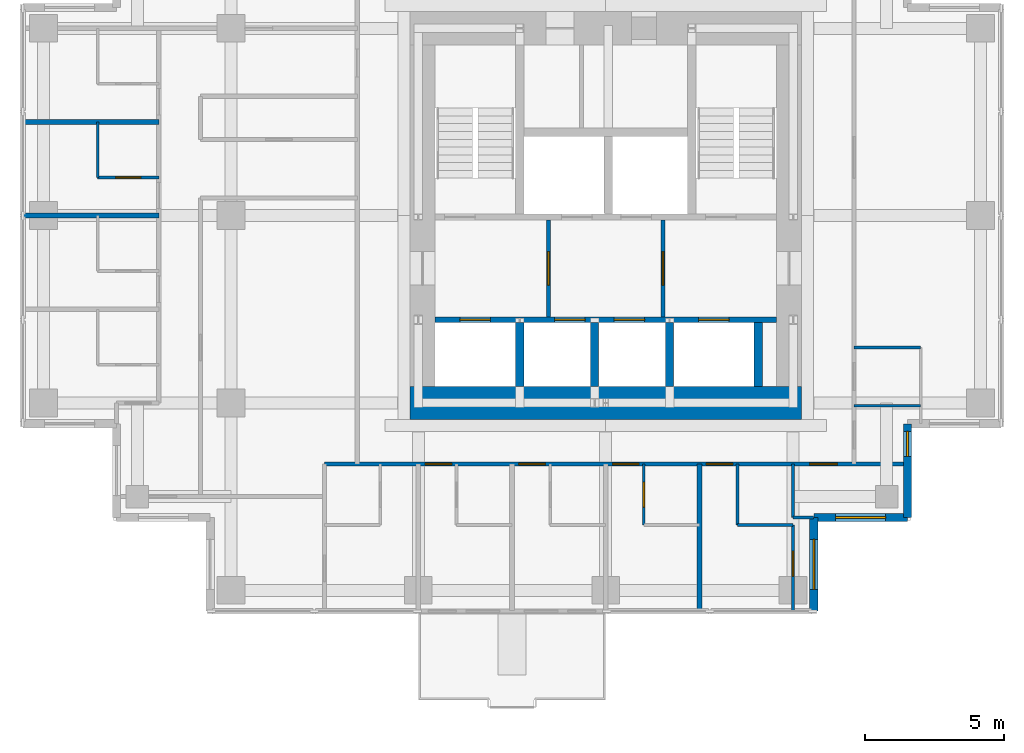
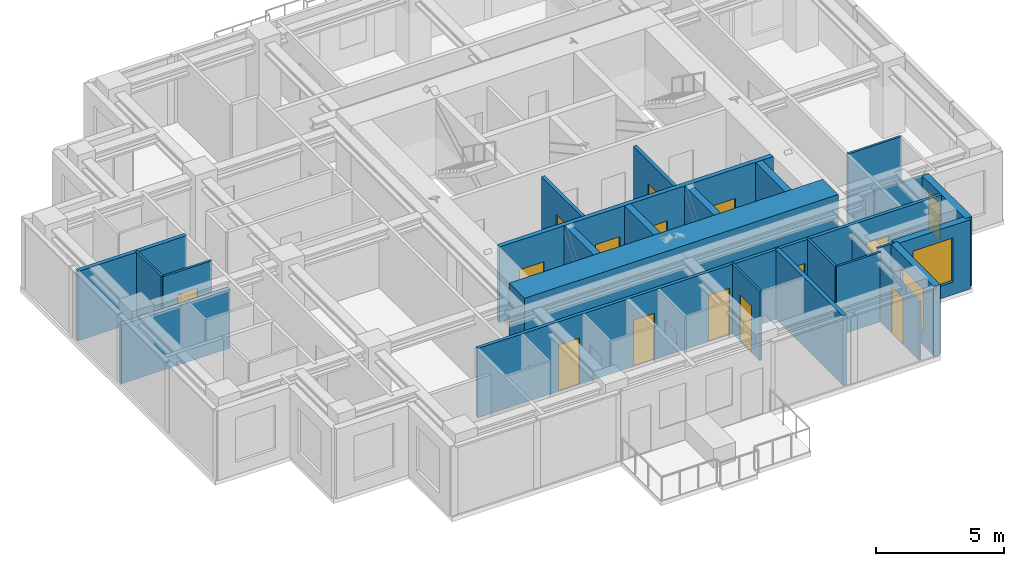
# One storey, part 4 of 8: 25 walls, 14 doors, 3 windows, 17 openings.
"""IFC4 building model written with IfcOpenShell, lengths in metres."""

import ifcopenshell
import ifcopenshell.guid

model = None  # the IFC model being written
_history = None  # IfcOwnerHistory: only IFC2X3 demands one
_inside = {}  # id of a spatial element -> (the spatial element, [elements in it])
_under = {}  # id of a project, library or spatial element -> (it, [spatial elements below it])
_declared = {}  # id of a project -> (the project, [libraries it declares])
_typed = {}  # id of a type object -> (the type object, [elements of that type])
_made_of = {}  # id of a material, layer set ... -> (it, [elements and type objects made of it])


def new_model(schema):
    """Start an empty IFC model of exactly this schema.

    Asked for "IFC4X3", IfcOpenShell would pick the latest addendum, in which some entities
    have other attributes; the version numbers below select the first issue.
    IFC2X3 requires an IfcOwnerHistory on every rooted entity: one is made here for all.
    """
    global model, _history
    if schema == "IFC4X3":
        model = ifcopenshell.file(schema_version=(4, 3, 0, 0))
    else:
        model = ifcopenshell.file(schema=schema)
    _inside.clear()
    _under.clear()
    _declared.clear()
    _typed.clear()
    _made_of.clear()
    _history = None
    if model.schema == "IFC2X3":
        org = make("IfcOrganization", Name="unknown")
        user = make(
            "IfcPersonAndOrganization",
            ThePerson=make("IfcPerson", FamilyName="unknown"),
            TheOrganization=org,
        )
        app = make(
            "IfcApplication",
            ApplicationDeveloper=org,
            Version="unknown",
            ApplicationFullName="unknown",
            ApplicationIdentifier="unknown",
        )
        _history = make(
            "IfcOwnerHistory",
            OwningUser=user,
            OwningApplication=app,
            ChangeAction="ADDED",
            CreationDate=0,
        )
    return model


def make(cls, **values):
    """One entity of the class cls with the attributes given. An attribute that is None is left unset."""
    return model.create_entity(
        cls, **{name: value for name, value in values.items() if value is not None}
    )


def rooted(cls, **values):
    """An entity with a GlobalId (a new one), such as an element, a storey or a relation."""
    return make(cls, GlobalId=ifcopenshell.guid.new(), OwnerHistory=_history, **values)


def si_unit(unit_type, name, prefix=None):
    """IfcSIUnit, for example si_unit("LENGTHUNIT", "METRE", prefix="MILLI")."""
    return make("IfcSIUnit", UnitType=unit_type, Prefix=prefix, Name=name)


def assignment(units):
    """IfcUnitAssignment: the units of a project."""
    return None if units is None else make("IfcUnitAssignment", Units=units)


def point(xyz):
    """IfcCartesianPoint."""
    return None if xyz is None else make("IfcCartesianPoint", Coordinates=xyz)


def direction(xyz):
    """IfcDirection."""
    return None if xyz is None else make("IfcDirection", DirectionRatios=xyz)


def frame(location, z_axis=None, x_axis=None):
    """IfcAxis2Placement3D, a coordinate frame: its origin and axes. An axis left out is left unset."""
    return make(
        "IfcAxis2Placement3D",
        Location=point(location),
        Axis=direction(z_axis),
        RefDirection=direction(x_axis),
    )


def frame_2d(location, x_axis=None):
    """IfcAxis2Placement2D, a coordinate frame in the plane: its origin and x axis."""
    return make(
        "IfcAxis2Placement2D", Location=point(location), RefDirection=direction(x_axis)
    )


def origin():
    """The frame at (0, 0, 0) with its axes left unset."""
    return frame((0.0, 0.0, 0.0))


def place(relative_to, where):
    """IfcLocalPlacement: puts the frame where relative to a parent placement (None: the world)."""
    return make(
        "IfcLocalPlacement", PlacementRelTo=relative_to, RelativePlacement=where
    )


def context(
    kind, dimensions, precision=None, world=None, true_north=None, identifier=None
):
    """IfcGeometricRepresentationContext, for example the 3D "Model" context."""
    return make(
        "IfcGeometricRepresentationContext",
        ContextIdentifier=identifier,
        ContextType=kind,
        CoordinateSpaceDimension=dimensions,
        Precision=precision,
        WorldCoordinateSystem=world,
        TrueNorth=true_north,
    )


def subcontext(parent, identifier, kind, view, scale=None):
    """IfcGeometricRepresentationSubContext, for example "Body" below "Model"."""
    return make(
        "IfcGeometricRepresentationSubContext",
        ContextIdentifier=identifier,
        ContextType=kind,
        ParentContext=parent,
        TargetScale=scale,
        TargetView=view,
    )


def project(units=None, contexts=None):
    """IfcProject with its units and contexts."""
    return rooted(
        "IfcProject",
        Name="project",
        RepresentationContexts=contexts,
        UnitsInContext=assignment(units),
    )


def spatial(cls, under=None, at=None, **own):
    """A site, building, storey or space (cls), placed at a placement, below another one or the project."""
    s = rooted(cls, ObjectPlacement=at, **own)
    if under is not None:
        _under.setdefault(under.id(), (under, []))[1].append(s)
    return s


def profile(cls, at=None, kind="AREA", **sizes):
    """A parametric profile (cls). Its sizes go by their IFC names, for example OverallWidth=200.0."""
    return make(cls, ProfileType=kind, Position=at, **sizes)


def rectangle(**sizes):
    """IfcRectangleProfileDef."""
    return profile("IfcRectangleProfileDef", **sizes)


def extrude(swept, where, along, depth):
    """IfcExtrudedAreaSolid: the profile swept, set in the frame where, extruded along a direction by depth."""
    return make(
        "IfcExtrudedAreaSolid",
        SweptArea=swept,
        Position=where,
        ExtrudedDirection=direction(along),
        Depth=depth,
    )


def shape(context_of_items, identifier, shape_type, items):
    """IfcShapeRepresentation: the items that make up one representation, for example the "Body"."""
    return make(
        "IfcShapeRepresentation",
        ContextOfItems=context_of_items,
        RepresentationIdentifier=identifier,
        RepresentationType=shape_type,
        Items=items,
    )


def material(Name=None, Category=None):
    """IfcMaterial."""
    return make("IfcMaterial", Name=Name, Category=Category)


def layer(
    of_material, thickness, ventilated=None, Name=None, Category=None, Priority=None
):
    """IfcMaterialLayer: one layer of a wall or slab, of a material (None: an air gap)."""
    return make(
        "IfcMaterialLayer",
        Material=of_material,
        LayerThickness=thickness,
        IsVentilated=ventilated,
        Name=Name,
        Category=Category,
        Priority=Priority,
    )


def layer_set(layers, Name=None):
    """IfcMaterialLayerSet."""
    return make("IfcMaterialLayerSet", MaterialLayers=layers, LayerSetName=Name)


def made_of(thing, what):
    """Note that an element or type object is made of a material, layer set ...; save() writes the relation."""
    if what is not None:
        _made_of.setdefault(what.id(), (what, []))[1].append(thing)
    return thing


def type_object(cls, material=None, **own):
    """A type object (cls), such as IfcWallType, which elements share."""
    return made_of(rooted(cls, **own), material)


def element(
    cls,
    number,
    at=None,
    inside=None,
    cuts=None,
    type_object=None,
    material=None,
    context=None,
    identifier="Body",
    shape_type=None,
    held_by="IfcProductDefinitionShape",
    body=None,
    shapes=None,
    **own,
):
    """One element of the class cls, such as IfcWall. Its Tag is "e" and its number.

    at: its placement. inside: the storey or other place that contains it. cuts: it is an
    opening in that element (IfcRelVoidsElement). A single representation is given by context,
    identifier, shape_type and body (its items); several are given by shapes. held_by: the class
    of the entity that holds the representations. save() writes the other relations.
    """
    e = rooted(cls, Tag="e%d" % number, ObjectPlacement=at, **own)
    if body is not None:
        shapes = [shape(context, identifier, shape_type, body)]
    if shapes is not None:
        e.Representation = make(held_by, Representations=shapes)
    if inside is not None:
        _inside.setdefault(inside.id(), (inside, []))[1].append(e)
    if cuts is not None:
        rooted(
            "IfcRelVoidsElement", RelatingBuildingElement=cuts, RelatedOpeningElement=e
        )
    if type_object is not None:
        _typed.setdefault(type_object.id(), (type_object, []))[1].append(e)
    return made_of(e, material)


def fill(opening, filler):
    """IfcRelFillsElement: the door or window that sits in an opening."""
    return rooted(
        "IfcRelFillsElement",
        RelatingOpeningElement=opening,
        RelatedBuildingElement=filler,
    )


def aggregate(whole, parts):
    """IfcRelAggregates: a whole, such as a stair, and the parts it consists of."""
    return rooted("IfcRelAggregates", RelatingObject=whole, RelatedObjects=parts)


def save(model, path):
    """Write the relations noted so far, then the file.

    IfcRelAggregates (storeys below a building ...), IfcRelContainedInSpatialStructure (elements
    in a storey), IfcRelDefinesByType, IfcRelAssociatesMaterial and IfcRelDeclares: one each for
    every whole, place, type object, material and project.
    """
    for whole, parts in _under.values():
        aggregate(whole, parts)
    for where, things in _inside.values():
        rooted(
            "IfcRelContainedInSpatialStructure",
            RelatedElements=things,
            RelatingStructure=where,
        )
    for kind, things in _typed.values():
        rooted("IfcRelDefinesByType", RelatedObjects=things, RelatingType=kind)
    for what, things in _made_of.values():
        rooted("IfcRelAssociatesMaterial", RelatedObjects=things, RelatingMaterial=what)
    for by, libraries in _declared.values():
        rooted("IfcRelDeclares", RelatingContext=by, RelatedDefinitions=libraries)
    model.write(path)


model = new_model("IFC4")

# Units and contexts
model_context = context("Model", 3, precision=1e-05, world=origin(), true_north=direction((0.0, 1.0)))
body_context = subcontext(model_context, "Body", "Model", "MODEL_VIEW")
ifc_project = project(units=[si_unit("LENGTHUNIT", "METRE"), si_unit("AREAUNIT", "SQUARE_METRE"), si_unit("VOLUMEUNIT", "CUBIC_METRE"), si_unit("PLANEANGLEUNIT", "RADIAN"), si_unit("MASSUNIT", "GRAM", prefix="KILO")], contexts=[model_context])

# Site, building, storey
site_placement = place(None, origin())
site = spatial("IfcSite", under=ifc_project, at=site_placement, CompositionType="ELEMENT")
building_placement = place(site_placement, origin())
building = spatial("IfcBuilding", under=site, at=building_placement, Name="Nyansa Garden Tower", CompositionType="ELEMENT")
storey_placement = place(building_placement, frame((0.0, 0.0, 251.10009765625)))
storey = spatial("IfcBuildingStorey", under=building, at=storey_placement, Name="L68", CompositionType="ELEMENT", Elevation=251.10009765625)

# Walls
ifc_material_1 = material(Name="Dense blockwork, plastered both sides, 55 dB", Category="masonry")
ifc_layer_1 = layer(ifc_material_1, 0.175048828125)
ifc_layer_set_1 = layer_set([ifc_layer_1], Name="Acoustic party wall PW175")
wall_type_1 = type_object("IfcWallType", Name="Acoustic party wall PW175", PredefinedType="PARTITIONING", material=ifc_layer_set_1)
wall_1_placement = place(storey_placement, frame((-0.73388671875, 20.25, 0.0), z_axis=(0.0, 0.0, 1.0), x_axis=(1.0, 0.0, 0.0)))
element("IfcWall", 1, at=wall_1_placement, inside=storey, type_object=wall_type_1, Name="Party wall", PredefinedType="PARTITIONING", context=body_context, shape_type="SweptSolid", body=[
    extrude(rectangle(XDim=4.8837890625, YDim=0.175048828125, at=frame_2d((2.44189453125, 0.0))), origin(), (0.0, 0.0, 1.0), 2.802001953125),
])
wall_2_placement = place(storey_placement, frame((-0.73388671875, 23.625, 0.0), z_axis=(0.0, 0.0, 1.0), x_axis=(1.0, 0.0, 0.0)))
element("IfcWall", 2, at=wall_2_placement, inside=storey, type_object=wall_type_1, Name="Party wall", PredefinedType="PARTITIONING", context=body_context, shape_type="SweptSolid", body=[
    extrude(rectangle(XDim=4.8837890625, YDim=0.175048828125, at=frame_2d((2.44189453125, 0.0))), origin(), (0.0, 0.0, 1.0), 3.2998046875),
])
wall_3_placement = place(storey_placement, frame((23.625, 6.01611328125, 0.0), z_axis=(0.0, 0.0, 1.0), x_axis=(0.0, 1.0, 0.0)))
element("IfcWall", 3, at=wall_3_placement, inside=storey, type_object=wall_type_1, Name="Party wall", PredefinedType="PARTITIONING", context=body_context, shape_type="SweptSolid", body=[
    extrude(rectangle(XDim=5.283935546875, YDim=0.175048828125, at=frame_2d((2.64208984375, 0.0))), origin(), (0.0, 0.0, 1.0), 3.2998046875),
])

# Wall, openings, doors
ifc_material_2 = material(Name="Concrete C70/85", Category="concrete")
ifc_layer_2 = layer(ifc_material_2, 0.199951171875)
ifc_layer_set_2 = layer_set([ifc_layer_2], Name="Core inner wall CI200")
wall_type_2 = type_object("IfcWallType", Name="Core inner wall CI200", PredefinedType="SHEAR", material=ifc_layer_set_2)
wall_4_placement = place(storey_placement, frame((14.10009765625, 16.5, 0.0), z_axis=(0.0, 0.0, 1.0), x_axis=(1.0, 0.0, 0.0)))
wall_4 = element("IfcWall", 4, at=wall_4_placement, inside=storey, type_object=wall_type_2, Name="Core inner wall L68", PredefinedType="SHEAR", context=body_context, shape_type="SweptSolid", body=[
    extrude(rectangle(XDim=12.2998046875, YDim=0.199951171875, at=frame_2d((6.14990234375, 0.0))), origin(), (0.0, 0.0, 1.0), 3.599853515625),
])
opening_1_placement = place(wall_4_placement, frame((0.89990234375, 0.0, 0.0)))
opening_1 = element("IfcOpeningElement", 5, at=opening_1_placement, cuts=wall_4, Name="Opening LD-F", PredefinedType="OPENING", context=body_context, shape_type="SweptSolid", body=[
    extrude(rectangle(XDim=1.10009765625, YDim=2.199951171875, at=frame_2d((0.550048828125, 1.10009765625))), frame((0.0, 0.10986328125, 0.0), z_axis=(0.0, -1.0, 0.0), x_axis=(1.0, 0.0, 0.0)), (0.0, 0.0, 1.0), 0.219970703125),
])
opening_2_placement = place(wall_4_placement, frame((4.31005859375, 0.0, 0.0)))
opening_2 = element("IfcOpeningElement", 6, at=opening_2_placement, cuts=wall_4, Name="Opening LD-B", PredefinedType="OPENING", context=body_context, shape_type="SweptSolid", body=[
    extrude(rectangle(XDim=1.10009765625, YDim=2.199951171875, at=frame_2d((0.550048828125, 1.10009765625))), frame((0.0, 0.10986328125, 0.0), z_axis=(0.0, -1.0, 0.0), x_axis=(1.0, 0.0, 0.0)), (0.0, 0.0, 1.0), 0.219970703125),
])
opening_3_placement = place(wall_4_placement, frame((6.449951171875, 0.0, 0.0)))
opening_3 = element("IfcOpeningElement", 7, at=opening_3_placement, cuts=wall_4, Name="Opening LD-B", PredefinedType="OPENING", context=body_context, shape_type="SweptSolid", body=[
    extrude(rectangle(XDim=1.10009765625, YDim=2.199951171875, at=frame_2d((0.550048828125, 1.10009765625))), frame((0.0, 0.10986328125, 0.0), z_axis=(0.0, -1.0, 0.0), x_axis=(1.0, 0.0, 0.0)), (0.0, 0.0, 1.0), 0.219970703125),
])
opening_4_placement = place(wall_4_placement, frame((9.5, 0.0, 0.0)))
opening_4 = element("IfcOpeningElement", 8, at=opening_4_placement, cuts=wall_4, Name="Opening LD-F", PredefinedType="OPENING", context=body_context, shape_type="SweptSolid", body=[
    extrude(rectangle(XDim=1.10009765625, YDim=2.199951171875, at=frame_2d((0.550048828125, 1.10009765625))), frame((0.0, 0.10986328125, 0.0), z_axis=(0.0, -1.0, 0.0), x_axis=(1.0, 0.0, 0.0)), (0.0, 0.0, 1.0), 0.219970703125),
])
ifc_material_3 = material(Name="Stainless steel centre-opening landing door of the high-rise lift, E 120", Category="steel")
door_type_1 = type_object("IfcDoorType", Name="Lift landing door LD-B 1100x2200", OperationType="DOUBLE_DOOR_SLIDING", PredefinedType="DOOR", material=ifc_material_3)
door_1_placement = place(opening_2_placement, origin())
door_1 = element("IfcDoor", 9, at=door_1_placement, inside=storey, type_object=door_type_1, Name="Landing door B1", OperationType="DOUBLE_DOOR_SLIDING", OverallHeight=2.199951171875, OverallWidth=1.10009765625, PredefinedType="DOOR", context=body_context, shape_type="SweptSolid", body=[
    extrude(rectangle(XDim=1.10009765625, YDim=2.199951171875, at=frame_2d((0.550048828125, 1.10009765625))), frame((0.0, 0.02490234375, 0.0), z_axis=(0.0, -1.0, 0.0), x_axis=(1.0, 0.0, 0.0)), (0.0, 0.0, 1.0), 0.050048828125),
])
fill(opening_2, door_1)
door_2_placement = place(opening_3_placement, origin())
door_2 = element("IfcDoor", 10, at=door_2_placement, inside=storey, type_object=door_type_1, Name="Landing door B2", OperationType="DOUBLE_DOOR_SLIDING", OverallHeight=2.199951171875, OverallWidth=1.10009765625, PredefinedType="DOOR", context=body_context, shape_type="SweptSolid", body=[
    extrude(rectangle(XDim=1.10009765625, YDim=2.199951171875, at=frame_2d((0.550048828125, 1.10009765625))), frame((0.0, 0.02490234375, 0.0), z_axis=(0.0, -1.0, 0.0), x_axis=(1.0, 0.0, 0.0)), (0.0, 0.0, 1.0), 0.050048828125),
])
fill(opening_3, door_2)
ifc_material_4 = material(Name="Stainless steel centre-opening landing door of the firefighting lift, EN 81-72, E 120", Category="steel")
door_type_2 = type_object("IfcDoorType", Name="Lift landing door LD-F 1100x2200", OperationType="DOUBLE_DOOR_SLIDING", PredefinedType="DOOR", material=ifc_material_4)
door_3_placement = place(opening_1_placement, origin())
door_3 = element("IfcDoor", 11, at=door_3_placement, inside=storey, type_object=door_type_2, Name="Landing door FF1", OperationType="DOUBLE_DOOR_SLIDING", OverallHeight=2.199951171875, OverallWidth=1.10009765625, PredefinedType="DOOR", context=body_context, shape_type="SweptSolid", body=[
    extrude(rectangle(XDim=1.10009765625, YDim=2.199951171875, at=frame_2d((0.550048828125, 1.10009765625))), frame((0.0, 0.02490234375, 0.0), z_axis=(0.0, -1.0, 0.0), x_axis=(1.0, 0.0, 0.0)), (0.0, 0.0, 1.0), 0.050048828125),
])
fill(opening_1, door_3)
door_4_placement = place(opening_4_placement, origin())
door_4 = element("IfcDoor", 12, at=door_4_placement, inside=storey, type_object=door_type_2, Name="Landing door FF2", OperationType="DOUBLE_DOOR_SLIDING", OverallHeight=2.199951171875, OverallWidth=1.10009765625, PredefinedType="DOOR", context=body_context, shape_type="SweptSolid", body=[
    extrude(rectangle(XDim=1.10009765625, YDim=2.199951171875, at=frame_2d((0.550048828125, 1.10009765625))), frame((0.0, 0.02490234375, 0.0), z_axis=(0.0, -1.0, 0.0), x_axis=(1.0, 0.0, 0.0)), (0.0, 0.0, 1.0), 0.050048828125),
])
fill(opening_4, door_4)

# Walls
ifc_material_5 = material(Name="Concrete C70/85", Category="concrete")
ifc_layer_3 = layer(ifc_material_5, 0.300048828125)
ifc_layer_set_3 = layer_set([ifc_layer_3], Name="Core inner wall CI300")
wall_type_3 = type_object("IfcWallType", Name="Core inner wall CI300", PredefinedType="SHEAR", material=ifc_layer_set_3)
for number, where, z_axis, x_axis, name in (
    (13, (17.14990234375, 14.10009765625, 0.0), (0.0, 0.0, 1.0), (0.0, 1.0, 0.0), "Core inner wall L68"),
    (14, (19.85009765625, 14.10009765625, 0.0), (0.0, 0.0, 1.0), (0.0, 1.0, 0.0), "Core inner wall L68"),
    (15, (22.550048828125, 14.10009765625, 0.0), (0.0, 0.0, 1.0), (0.0, 1.0, 0.0), "Core inner wall L68"),
    (16, (25.75, 14.10009765625, 0.0), (0.0, 0.0, 1.0), (0.0, 1.0, 0.0), "Core inner wall L68"),
):
    element("IfcWall", number, at=place(storey_placement, frame(where, z_axis=z_axis, x_axis=x_axis)), inside=storey, type_object=wall_type_3, Name=name, PredefinedType="SHEAR", context=body_context, shape_type="SweptSolid", body=[
        extrude(rectangle(XDim=2.2998046875, YDim=0.300048828125, at=frame_2d((1.14990234375, 0.0))), origin(), (0.0, 0.0, 1.0), 3.599853515625),
    ])
ifc_material_6 = material(Name="Concrete C80/95", Category="concrete")
ifc_layer_4 = layer(ifc_material_6, 1.199951171875)
ifc_layer_set_4 = layer_set([ifc_layer_4], Name="Core wall CW1200")
wall_type_4 = type_object("IfcWallType", Name="Core wall CW1200", PredefinedType="SHEAR", material=ifc_layer_set_4)
wall_5_placement = place(storey_placement, frame((13.199951171875, 13.5, 0.0), z_axis=(0.0, 0.0, 1.0), x_axis=(1.0, 0.0, 0.0)))
element("IfcWall", 17, at=wall_5_placement, inside=storey, type_object=wall_type_4, Name="Core wall S L68", PredefinedType="SHEAR", context=body_context, shape_type="SweptSolid", body=[
    extrude(rectangle(XDim=14.10009765625, YDim=1.199951171875, at=frame_2d((7.050048828125, 0.0))), origin(), (0.0, 0.0, 1.0), 3.599853515625),
])

# Wall, opening, door
ifc_material_7 = material(Name="Blockwork, plastered both sides", Category="masonry")
ifc_layer_5 = layer(ifc_material_7, 0.14990234375)
ifc_layer_set_5 = layer_set([ifc_layer_5], Name="Partition PW150")
wall_type_5 = type_object("IfcWallType", Name="Partition PW150", PredefinedType="PARTITIONING", material=ifc_layer_set_5)
wall_6_placement = place(storey_placement, frame((18.18505859375, 16.60009765625, 0.0), z_axis=(0.0, 0.0, 1.0), x_axis=(0.0, 1.0, 0.0)))
wall_6 = element("IfcWall", 18, at=wall_6_placement, inside=storey, type_object=wall_type_5, Name="Partition", PredefinedType="PARTITIONING", context=body_context, shape_type="SweptSolid", body=[
    extrude(rectangle(XDim=3.5, YDim=0.14990234375, at=frame_2d((1.75, 0.0))), origin(), (0.0, 0.0, 1.0), 3.2998046875),
])
opening_5_placement = place(wall_6_placement, frame((1.14990234375, 0.0, 0.0)))
opening_5 = element("IfcOpeningElement", 19, at=opening_5_placement, cuts=wall_6, Name="Opening D06", PredefinedType="OPENING", context=body_context, shape_type="SweptSolid", body=[
    extrude(rectangle(XDim=1.199951171875, YDim=2.199951171875, at=frame_2d((0.60009765625, 1.10009765625))), frame((0.0, 0.0849609375, 0.0), z_axis=(0.0, -1.0, 0.0), x_axis=(1.0, 0.0, 0.0)), (0.0, 0.0, 1.0), 0.169921875),
])
ifc_material_8 = material(Name="Steel door, 120 minute fire resisting", Category="steel")
door_type_3 = type_object("IfcDoorType", Name="Lobby door D06 1200x2200", OperationType="DOUBLE_DOOR_SINGLE_SWING", PredefinedType="DOOR", material=ifc_material_8)
door_5_placement = place(opening_5_placement, origin())
door_5 = element("IfcDoor", 20, at=door_5_placement, inside=storey, type_object=door_type_3, Name="Passenger lift lobby door", OperationType="DOUBLE_DOOR_SINGLE_SWING", OverallHeight=2.199951171875, OverallWidth=1.199951171875, PredefinedType="DOOR", context=body_context, shape_type="SweptSolid", body=[
    extrude(rectangle(XDim=1.199951171875, YDim=2.199951171875, at=frame_2d((0.60009765625, 1.10009765625))), frame((0.0, 0.02490234375, 0.0), z_axis=(0.0, -1.0, 0.0), x_axis=(1.0, 0.0, 0.0)), (0.0, 0.0, 1.0), 0.050048828125),
])
fill(opening_5, door_5)

wall_7_placement = place(storey_placement, frame((22.31494140625, 16.60009765625, 0.0), z_axis=(0.0, 0.0, 1.0), x_axis=(0.0, 1.0, 0.0)))
wall_7 = element("IfcWall", 21, at=wall_7_placement, inside=storey, type_object=wall_type_5, Name="Partition", PredefinedType="PARTITIONING", context=body_context, shape_type="SweptSolid", body=[
    extrude(rectangle(XDim=3.5, YDim=0.14990234375, at=frame_2d((1.75, 0.0))), origin(), (0.0, 0.0, 1.0), 3.2998046875),
])
opening_6_placement = place(wall_7_placement, frame((1.14990234375, 0.0, 0.0)))
opening_6 = element("IfcOpeningElement", 22, at=opening_6_placement, cuts=wall_7, Name="Opening D06", PredefinedType="OPENING", context=body_context, shape_type="SweptSolid", body=[
    extrude(rectangle(XDim=1.199951171875, YDim=2.199951171875, at=frame_2d((0.60009765625, 1.10009765625))), frame((0.0, 0.0849609375, 0.0), z_axis=(0.0, -1.0, 0.0), x_axis=(1.0, 0.0, 0.0)), (0.0, 0.0, 1.0), 0.169921875),
])
door_6_placement = place(opening_6_placement, origin())
door_6 = element("IfcDoor", 23, at=door_6_placement, inside=storey, type_object=door_type_3, Name="Passenger lift lobby door", OperationType="DOUBLE_DOOR_SINGLE_SWING", OverallHeight=2.199951171875, OverallWidth=1.199951171875, PredefinedType="DOOR", context=body_context, shape_type="SweptSolid", body=[
    extrude(rectangle(XDim=1.199951171875, YDim=2.199951171875, at=frame_2d((0.60009765625, 1.10009765625))), frame((0.0, 0.02490234375, 0.0), z_axis=(0.0, -1.0, 0.0), x_axis=(1.0, 0.0, 0.0)), (0.0, 0.0, 1.0), 0.050048828125),
])
fill(opening_6, door_6)

# Wall, openings, doors
wall_8_placement = place(storey_placement, frame((10.125, 11.300048828125, 0.0), z_axis=(0.0, 0.0, 1.0), x_axis=(1.0, 0.0, 0.0)))
wall_8 = element("IfcWall", 24, at=wall_8_placement, inside=storey, type_object=wall_type_5, Name="Partition", PredefinedType="PARTITIONING", context=body_context, shape_type="SweptSolid", body=[
    extrude(rectangle(XDim=20.98388671875, YDim=0.14990234375, at=frame_2d((10.491943359375, 0.0))), origin(), (0.0, 0.0, 1.0), 3.2998046875),
])
opening_7_placement = place(wall_8_placement, frame((3.625, 0.0, 0.0)))
opening_7 = element("IfcOpeningElement", 25, at=opening_7_placement, cuts=wall_8, Name="Opening D01", PredefinedType="OPENING", context=body_context, shape_type="SweptSolid", body=[
    extrude(rectangle(XDim=0.949951171875, YDim=2.199951171875, at=frame_2d((0.47509765625, 1.10009765625))), frame((0.0, 0.0849609375, 0.0), z_axis=(0.0, -1.0, 0.0), x_axis=(1.0, 0.0, 0.0)), (0.0, 0.0, 1.0), 0.169921875),
])
opening_8_placement = place(wall_8_placement, frame((7.0, 0.0, 0.0)))
opening_8 = element("IfcOpeningElement", 26, at=opening_8_placement, cuts=wall_8, Name="Opening D01", PredefinedType="OPENING", context=body_context, shape_type="SweptSolid", body=[
    extrude(rectangle(XDim=0.949951171875, YDim=2.199951171875, at=frame_2d((0.47509765625, 1.10009765625))), frame((0.0, 0.0849609375, 0.0), z_axis=(0.0, -1.0, 0.0), x_axis=(1.0, 0.0, 0.0)), (0.0, 0.0, 1.0), 0.169921875),
])
opening_9_placement = place(wall_8_placement, frame((10.375, 0.0, 0.0)))
opening_9 = element("IfcOpeningElement", 27, at=opening_9_placement, cuts=wall_8, Name="Opening D01", PredefinedType="OPENING", context=body_context, shape_type="SweptSolid", body=[
    extrude(rectangle(XDim=0.949951171875, YDim=2.199951171875, at=frame_2d((0.47509765625, 1.10009765625))), frame((0.0, 0.0849609375, 0.0), z_axis=(0.0, -1.0, 0.0), x_axis=(1.0, 0.0, 0.0)), (0.0, 0.0, 1.0), 0.169921875),
])
opening_10_placement = place(wall_8_placement, frame((13.75, 0.0, 0.0)))
opening_10 = element("IfcOpeningElement", 28, at=opening_10_placement, cuts=wall_8, Name="Opening D01", PredefinedType="OPENING", context=body_context, shape_type="SweptSolid", body=[
    extrude(rectangle(XDim=0.949951171875, YDim=2.199951171875, at=frame_2d((0.47509765625, 1.10009765625))), frame((0.0, 0.0849609375, 0.0), z_axis=(0.0, -1.0, 0.0), x_axis=(1.0, 0.0, 0.0)), (0.0, 0.0, 1.0), 0.169921875),
])
opening_11_placement = place(wall_8_placement, frame((17.47509765625, 0.0, 0.0)))
opening_11 = element("IfcOpeningElement", 29, at=opening_11_placement, cuts=wall_8, Name="Opening D03", PredefinedType="OPENING", context=body_context, shape_type="SweptSolid", body=[
    extrude(rectangle(XDim=1.0, YDim=2.199951171875, at=frame_2d((0.5, 1.10009765625))), frame((0.0, 0.0849609375, 0.0), z_axis=(0.0, -1.0, 0.0), x_axis=(1.0, 0.0, 0.0)), (0.0, 0.0, 1.0), 0.169921875),
])
ifc_material_9 = material(Name="Timber flush door, 30 minute fire resisting", Category="wood")
door_type_4 = type_object("IfcDoorType", Name="Bedroom door D01 950x2200", OperationType="SINGLE_SWING_LEFT", PredefinedType="DOOR", material=ifc_material_9)
door_7_placement = place(opening_7_placement, origin())
door_7 = element("IfcDoor", 30, at=door_7_placement, inside=storey, type_object=door_type_4, Name="Door L68-019", OperationType="SINGLE_SWING_LEFT", OverallHeight=2.199951171875, OverallWidth=0.949951171875, PredefinedType="DOOR", context=body_context, shape_type="SweptSolid", body=[
    extrude(rectangle(XDim=0.949951171875, YDim=2.199951171875, at=frame_2d((0.47509765625, 1.10009765625))), frame((0.0, 0.02490234375, 0.0), z_axis=(0.0, -1.0, 0.0), x_axis=(1.0, 0.0, 0.0)), (0.0, 0.0, 1.0), 0.050048828125),
])
fill(opening_7, door_7)
door_8_placement = place(opening_8_placement, origin())
door_8 = element("IfcDoor", 31, at=door_8_placement, inside=storey, type_object=door_type_4, Name="Door L68-021", OperationType="SINGLE_SWING_LEFT", OverallHeight=2.199951171875, OverallWidth=0.949951171875, PredefinedType="DOOR", context=body_context, shape_type="SweptSolid", body=[
    extrude(rectangle(XDim=0.949951171875, YDim=2.199951171875, at=frame_2d((0.47509765625, 1.10009765625))), frame((0.0, 0.02490234375, 0.0), z_axis=(0.0, -1.0, 0.0), x_axis=(1.0, 0.0, 0.0)), (0.0, 0.0, 1.0), 0.050048828125),
])
fill(opening_8, door_8)
door_9_placement = place(opening_9_placement, origin())
door_9 = element("IfcDoor", 32, at=door_9_placement, inside=storey, type_object=door_type_4, Name="Door L68-023", OperationType="SINGLE_SWING_LEFT", OverallHeight=2.199951171875, OverallWidth=0.949951171875, PredefinedType="DOOR", context=body_context, shape_type="SweptSolid", body=[
    extrude(rectangle(XDim=0.949951171875, YDim=2.199951171875, at=frame_2d((0.47509765625, 1.10009765625))), frame((0.0, 0.02490234375, 0.0), z_axis=(0.0, -1.0, 0.0), x_axis=(1.0, 0.0, 0.0)), (0.0, 0.0, 1.0), 0.050048828125),
])
fill(opening_9, door_9)
door_10_placement = place(opening_10_placement, origin())
door_10 = element("IfcDoor", 33, at=door_10_placement, inside=storey, type_object=door_type_4, Name="Door L68-025", OperationType="SINGLE_SWING_LEFT", OverallHeight=2.199951171875, OverallWidth=0.949951171875, PredefinedType="DOOR", context=body_context, shape_type="SweptSolid", body=[
    extrude(rectangle(XDim=0.949951171875, YDim=2.199951171875, at=frame_2d((0.47509765625, 1.10009765625))), frame((0.0, 0.02490234375, 0.0), z_axis=(0.0, -1.0, 0.0), x_axis=(1.0, 0.0, 0.0)), (0.0, 0.0, 1.0), 0.050048828125),
])
fill(opening_10, door_10)
ifc_material_10 = material(Name="Timber flush door, 60 minute fire resisting", Category="wood")
door_type_5 = type_object("IfcDoorType", Name="Cluster entrance door D03 1000x2200", OperationType="SINGLE_SWING_LEFT", PredefinedType="DOOR", material=ifc_material_10)
door_11_placement = place(opening_11_placement, origin())
door_11 = element("IfcDoor", 34, at=door_11_placement, inside=storey, type_object=door_type_5, Name="Door L68-028", OperationType="SINGLE_SWING_LEFT", OverallHeight=2.199951171875, OverallWidth=1.0, PredefinedType="DOOR", context=body_context, shape_type="SweptSolid", body=[
    extrude(rectangle(XDim=1.0, YDim=2.199951171875, at=frame_2d((0.5, 1.10009765625))), frame((0.0, 0.02490234375, 0.0), z_axis=(0.0, -1.0, 0.0), x_axis=(1.0, 0.0, 0.0)), (0.0, 0.0, 1.0), 0.050048828125),
])
fill(opening_11, door_11)

# Wall, opening, window
ifc_material_11 = material(Name="Turquoise glazed tile on concrete blockwork", Category="masonry")
ifc_layer_6 = layer(ifc_material_11, 0.300048828125)
ifc_layer_set_6 = layer_set([ifc_layer_6], Name="Tiled corner wall TW300")
wall_type_6 = type_object("IfcWallType", Name="Tiled corner wall TW300", PredefinedType="SOLIDWALL", material=ifc_layer_set_6)
wall_9_placement = place(storey_placement, frame((27.75, 6.0, 0.0), z_axis=(0.0, 0.0, 1.0), x_axis=(0.0, 1.0, 0.0)))
wall_9 = element("IfcWall", 35, at=wall_9_placement, inside=storey, type_object=wall_type_6, Name="Tiled corner wall L68", PredefinedType="SOLIDWALL", context=body_context, shape_type="SweptSolid", body=[
    extrude(rectangle(XDim=3.375, YDim=0.300048828125, at=frame_2d((1.6875, 0.0))), origin(), (0.0, 0.0, 1.0), 3.2998046875),
])
opening_12_placement = place(wall_9_placement, frame((0.78759765625, 0.0, 0.60009765625)))
opening_12 = element("IfcOpeningElement", 36, at=opening_12_placement, cuts=wall_9, Name="Opening W2", PredefinedType="OPENING", context=body_context, shape_type="SweptSolid", body=[
    extrude(rectangle(XDim=1.800048828125, YDim=2.10009765625, at=frame_2d((0.89990234375, 1.050048828125))), frame((0.0, 0.159912109375, 0.0), z_axis=(0.0, -1.0, 0.0), x_axis=(1.0, 0.0, 0.0)), (0.0, 0.0, 1.0), 0.320068359375),
])
ifc_material_12 = material(Name="Black aluminium frame, dark tinted double glazing", Category="aluminium")
window_type_1 = type_object("IfcWindowType", Name="Window W2 1800x2100", PartitioningType="SINGLE_PANEL", PredefinedType="WINDOW", material=ifc_material_12)
window_1_placement = place(opening_12_placement, origin())
window_1 = element("IfcWindow", 37, at=window_1_placement, inside=storey, type_object=window_type_1, Name="Corner window L68", OverallHeight=2.10009765625, OverallWidth=1.800048828125, PartitioningType="SINGLE_PANEL", PredefinedType="WINDOW", context=body_context, shape_type="SweptSolid", body=[
    extrude(rectangle(XDim=1.800048828125, YDim=2.10009765625, at=frame_2d((0.89990234375, 1.050048828125))), frame((0.0, 0.030029296875, 0.0), z_axis=(0.0, -1.0, 0.0), x_axis=(1.0, 0.0, 0.0)), (0.0, 0.0, 1.0), 0.06005859375),
])
fill(opening_12, window_1)

wall_10_placement = place(storey_placement, frame((27.75, 9.375, 0.0), z_axis=(0.0, 0.0, 1.0), x_axis=(1.0, 0.0, 0.0)))
wall_10 = element("IfcWall", 38, at=wall_10_placement, inside=storey, type_object=wall_type_6, Name="Tiled corner wall L68", PredefinedType="SOLIDWALL", context=body_context, shape_type="SweptSolid", body=[
    extrude(rectangle(XDim=3.375, YDim=0.300048828125, at=frame_2d((1.6875, 0.0))), origin(), (0.0, 0.0, 1.0), 3.2998046875),
])
opening_13_placement = place(wall_10_placement, frame((0.78759765625, 0.0, 0.60009765625)))
opening_13 = element("IfcOpeningElement", 39, at=opening_13_placement, cuts=wall_10, Name="Opening W2", PredefinedType="OPENING", context=body_context, shape_type="SweptSolid", body=[
    extrude(rectangle(XDim=1.800048828125, YDim=2.10009765625, at=frame_2d((0.89990234375, 1.050048828125))), frame((0.0, 0.159912109375, 0.0), z_axis=(0.0, -1.0, 0.0), x_axis=(1.0, 0.0, 0.0)), (0.0, 0.0, 1.0), 0.320068359375),
])
window_2_placement = place(opening_13_placement, origin())
window_2 = element("IfcWindow", 40, at=window_2_placement, inside=storey, type_object=window_type_1, Name="Corner window L68", OverallHeight=2.10009765625, OverallWidth=1.800048828125, PartitioningType="SINGLE_PANEL", PredefinedType="WINDOW", context=body_context, shape_type="SweptSolid", body=[
    extrude(rectangle(XDim=1.800048828125, YDim=2.10009765625, at=frame_2d((0.89990234375, 1.050048828125))), frame((0.0, 0.030029296875, 0.0), z_axis=(0.0, -1.0, 0.0), x_axis=(1.0, 0.0, 0.0)), (0.0, 0.0, 1.0), 0.06005859375),
])
fill(opening_13, window_2)

wall_11_placement = place(storey_placement, frame((31.125, 9.375, 0.0), z_axis=(0.0, 0.0, 1.0), x_axis=(0.0, 1.0, 0.0)))
wall_11 = element("IfcWall", 41, at=wall_11_placement, inside=storey, type_object=wall_type_6, Name="Tiled corner wall L68", PredefinedType="SOLIDWALL", context=body_context, shape_type="SweptSolid", body=[
    extrude(rectangle(XDim=3.375, YDim=0.300048828125, at=frame_2d((1.6875, 0.0))), origin(), (0.0, 0.0, 1.0), 3.2998046875),
])
opening_14_placement = place(wall_11_placement, frame((2.199951171875, 0.0, 0.89990234375)))
opening_14 = element("IfcOpeningElement", 42, at=opening_14_placement, cuts=wall_11, Name="Opening W7", PredefinedType="OPENING", context=body_context, shape_type="SweptSolid", body=[
    extrude(rectangle(XDim=0.89990234375, YDim=1.800048828125, at=frame_2d((0.449951171875, 0.89990234375))), frame((0.0, 0.159912109375, 0.0), z_axis=(0.0, -1.0, 0.0), x_axis=(1.0, 0.0, 0.0)), (0.0, 0.0, 1.0), 0.320068359375),
])
ifc_material_13 = material(Name="Black aluminium frame, dark tinted double glazing", Category="aluminium")
window_type_2 = type_object("IfcWindowType", Name="Balcony window W7 900x1800", PartitioningType="SINGLE_PANEL", PredefinedType="WINDOW", material=ifc_material_13)
window_3_placement = place(opening_14_placement, origin())
window_3 = element("IfcWindow", 43, at=window_3_placement, inside=storey, type_object=window_type_2, Name="Corner window L68", OverallHeight=1.800048828125, OverallWidth=0.89990234375, PartitioningType="SINGLE_PANEL", PredefinedType="WINDOW", context=body_context, shape_type="SweptSolid", body=[
    extrude(rectangle(XDim=0.89990234375, YDim=1.800048828125, at=frame_2d((0.449951171875, 0.89990234375))), frame((0.0, 0.030029296875, 0.0), z_axis=(0.0, -1.0, 0.0), x_axis=(1.0, 0.0, 0.0)), (0.0, 0.0, 1.0), 0.06005859375),
])
fill(opening_14, window_3)

# Wall
ifc_material_14 = material(Name="Moisture resistant board on steel studs, tiled", Category="steel")
ifc_layer_7 = layer(ifc_material_14, 0.10009765625)
ifc_layer_set_7 = layer_set([ifc_layer_7], Name="Wet wall PW100")
wall_type_7 = type_object("IfcWallType", Name="Wet wall PW100", PredefinedType="PARTITIONING", material=ifc_layer_set_7)
wall_12_placement = place(storey_placement, frame((1.949951171875, 21.625, 0.0), z_axis=(0.0, 0.0, 1.0), x_axis=(0.0, 1.0, 0.0)))
element("IfcWall", 44, at=wall_12_placement, inside=storey, type_object=wall_type_7, Name="Wet wall", PredefinedType="PARTITIONING", context=body_context, shape_type="SweptSolid", body=[
    extrude(rectangle(XDim=2.0, YDim=0.10009765625, at=frame_2d((1.0, 0.0))), origin(), (0.0, 0.0, 1.0), 3.2998046875),
])

# Wall, opening, door
wall_13_placement = place(storey_placement, frame((1.949951171875, 21.625, 0.0), z_axis=(0.0, 0.0, 1.0), x_axis=(1.0, 0.0, 0.0)))
wall_13 = element("IfcWall", 45, at=wall_13_placement, inside=storey, type_object=wall_type_7, Name="Wet wall", PredefinedType="PARTITIONING", context=body_context, shape_type="SweptSolid", body=[
    extrude(rectangle(XDim=2.199951171875, YDim=0.10009765625, at=frame_2d((1.10009765625, 0.0))), origin(), (0.0, 0.0, 1.0), 3.2998046875),
])
opening_15_placement = place(wall_13_placement, frame((0.64990234375, 0.0, 0.0)))
opening_15 = element("IfcOpeningElement", 46, at=opening_15_placement, cuts=wall_13, Name="Opening D02", PredefinedType="OPENING", context=body_context, shape_type="SweptSolid", body=[
    extrude(rectangle(XDim=0.89990234375, YDim=2.199951171875, at=frame_2d((0.449951171875, 1.10009765625))), frame((0.0, 0.06005859375, 0.0), z_axis=(0.0, -1.0, 0.0), x_axis=(1.0, 0.0, 0.0)), (0.0, 0.0, 1.0), 0.1201171875),
])
ifc_material_15 = material(Name="Timber flush door", Category="wood")
door_type_6 = type_object("IfcDoorType", Name="En-suite door D02 900x2200", OperationType="SINGLE_SWING_RIGHT", PredefinedType="DOOR", material=ifc_material_15)
door_12_placement = place(opening_15_placement, origin())
door_12 = element("IfcDoor", 47, at=door_12_placement, inside=storey, type_object=door_type_6, Name="Door L68-041", OperationType="SINGLE_SWING_RIGHT", OverallHeight=2.199951171875, OverallWidth=0.89990234375, PredefinedType="DOOR", context=body_context, shape_type="SweptSolid", body=[
    extrude(rectangle(XDim=0.89990234375, YDim=2.199951171875, at=frame_2d((0.449951171875, 1.10009765625))), frame((0.0, 0.02490234375, 0.0), z_axis=(0.0, -1.0, 0.0), x_axis=(1.0, 0.0, 0.0)), (0.0, 0.0, 1.0), 0.050048828125),
])
fill(opening_15, door_12)

wall_14_placement = place(storey_placement, frame((21.625, 9.10009765625, 0.0), z_axis=(0.0, 0.0, 1.0), x_axis=(0.0, 1.0, 0.0)))
wall_14 = element("IfcWall", 48, at=wall_14_placement, inside=storey, type_object=wall_type_7, Name="Wet wall", PredefinedType="PARTITIONING", context=body_context, shape_type="SweptSolid", body=[
    extrude(rectangle(XDim=2.199951171875, YDim=0.10009765625, at=frame_2d((1.10009765625, 0.0))), origin(), (0.0, 0.0, 1.0), 3.2998046875),
])
opening_16_placement = place(wall_14_placement, frame((0.64990234375, 0.0, 0.0)))
opening_16 = element("IfcOpeningElement", 49, at=opening_16_placement, cuts=wall_14, Name="Opening D02", PredefinedType="OPENING", context=body_context, shape_type="SweptSolid", body=[
    extrude(rectangle(XDim=0.89990234375, YDim=2.199951171875, at=frame_2d((0.449951171875, 1.10009765625))), frame((0.0, 0.06005859375, 0.0), z_axis=(0.0, -1.0, 0.0), x_axis=(1.0, 0.0, 0.0)), (0.0, 0.0, 1.0), 0.1201171875),
])
door_13_placement = place(opening_16_placement, origin())
door_13 = element("IfcDoor", 50, at=door_13_placement, inside=storey, type_object=door_type_6, Name="Door L68-024", OperationType="SINGLE_SWING_RIGHT", OverallHeight=2.199951171875, OverallWidth=0.89990234375, PredefinedType="DOOR", context=body_context, shape_type="SweptSolid", body=[
    extrude(rectangle(XDim=0.89990234375, YDim=2.199951171875, at=frame_2d((0.449951171875, 1.10009765625))), frame((0.0, 0.02490234375, 0.0), z_axis=(0.0, -1.0, 0.0), x_axis=(1.0, 0.0, 0.0)), (0.0, 0.0, 1.0), 0.050048828125),
])
fill(opening_16, door_13)

# Walls
wall_15_placement = place(storey_placement, frame((25.0, 9.10009765625, 0.0), z_axis=(0.0, 0.0, 1.0), x_axis=(0.0, 1.0, 0.0)))
element("IfcWall", 51, at=wall_15_placement, inside=storey, type_object=wall_type_7, Name="Wet wall", PredefinedType="PARTITIONING", context=body_context, shape_type="SweptSolid", body=[
    extrude(rectangle(XDim=2.199951171875, YDim=0.10009765625, at=frame_2d((1.10009765625, 0.0))), origin(), (0.0, 0.0, 1.0), 3.2998046875),
])
wall_16_placement = place(storey_placement, frame((25.0, 9.10009765625, 0.0), z_axis=(0.0, 0.0, 1.0), x_axis=(1.0, 0.0, 0.0)))
element("IfcWall", 52, at=wall_16_placement, inside=storey, type_object=wall_type_7, Name="Wet wall", PredefinedType="PARTITIONING", context=body_context, shape_type="SweptSolid", body=[
    extrude(rectangle(XDim=2.0, YDim=0.10009765625, at=frame_2d((1.0, 0.0))), origin(), (0.0, 0.0, 1.0), 3.2998046875),
])

# Wall, opening, door
wall_17_placement = place(storey_placement, frame((27.0, 6.01611328125, 0.0), z_axis=(0.0, 0.0, 1.0), x_axis=(0.0, 1.0, 0.0)))
wall_17 = element("IfcWall", 53, at=wall_17_placement, inside=storey, type_object=wall_type_7, Name="Wet wall", PredefinedType="PARTITIONING", context=body_context, shape_type="SweptSolid", body=[
    extrude(rectangle(XDim=3.083984375, YDim=0.10009765625, at=frame_2d((1.5419921875, 0.0))), origin(), (0.0, 0.0, 1.0), 2.802001953125),
])
opening_17_placement = place(wall_17_placement, frame((1.25, 0.0, 0.0)))
opening_17 = element("IfcOpeningElement", 54, at=opening_17_placement, cuts=wall_17, Name="Opening D02", PredefinedType="OPENING", context=body_context, shape_type="SweptSolid", body=[
    extrude(rectangle(XDim=0.89990234375, YDim=2.199951171875, at=frame_2d((0.449951171875, 1.10009765625))), frame((0.0, 0.06005859375, 0.0), z_axis=(0.0, -1.0, 0.0), x_axis=(1.0, 0.0, 0.0)), (0.0, 0.0, 1.0), 0.1201171875),
])
door_14_placement = place(opening_17_placement, origin())
door_14 = element("IfcDoor", 55, at=door_14_placement, inside=storey, type_object=door_type_6, Name="Door L68-026", OperationType="SINGLE_SWING_RIGHT", OverallHeight=2.199951171875, OverallWidth=0.89990234375, PredefinedType="DOOR", context=body_context, shape_type="SweptSolid", body=[
    extrude(rectangle(XDim=0.89990234375, YDim=2.199951171875, at=frame_2d((0.449951171875, 1.10009765625))), frame((0.0, 0.02490234375, 0.0), z_axis=(0.0, -1.0, 0.0), x_axis=(1.0, 0.0, 0.0)), (0.0, 0.0, 1.0), 0.050048828125),
])
fill(opening_17, door_14)

# Walls
wall_18_placement = place(storey_placement, frame((27.0, 9.375, 0.0), z_axis=(0.0, 0.0, 1.0), x_axis=(0.0, 1.0, 0.0)))
element("IfcWall", 56, at=wall_18_placement, inside=storey, type_object=wall_type_7, Name="Wet wall", PredefinedType="PARTITIONING", context=body_context, shape_type="SweptSolid", body=[
    extrude(rectangle(XDim=1.925048828125, YDim=0.10009765625, at=frame_2d((0.96240234375, 0.0))), origin(), (0.0, 0.0, 1.0), 2.802001953125),
])
wall_19_placement = place(storey_placement, frame((27.0, 9.375, 0.0), z_axis=(0.0, 0.0, 1.0), x_axis=(1.0, 0.0, 0.0)))
element("IfcWall", 57, at=wall_19_placement, inside=storey, type_object=wall_type_7, Name="Wet wall", PredefinedType="PARTITIONING", context=body_context, shape_type="SweptSolid", body=[
    extrude(rectangle(XDim=0.73388671875, YDim=0.10009765625, at=frame_2d((0.366943359375, 0.0))), origin(), (0.0, 0.0, 1.0), 3.2998046875),
])
wall_20_placement = place(storey_placement, frame((29.199951171875, 13.39990234375, 0.0), z_axis=(0.0, 0.0, 1.0), x_axis=(1.0, 0.0, 0.0)))
element("IfcWall", 58, at=wall_20_placement, inside=storey, type_object=wall_type_7, Name="Wet wall", PredefinedType="PARTITIONING", context=body_context, shape_type="SweptSolid", body=[
    extrude(rectangle(XDim=2.400146484375, YDim=0.10009765625, at=frame_2d((1.2001953125, 0.0))), origin(), (0.0, 0.0, 1.0), 2.802001953125),
])
wall_21_placement = place(storey_placement, frame((29.199951171875, 15.5, 0.0), z_axis=(0.0, 0.0, 1.0), x_axis=(1.0, 0.0, 0.0)))
element("IfcWall", 59, at=wall_21_placement, inside=storey, type_object=wall_type_7, Name="Wet wall", PredefinedType="PARTITIONING", context=body_context, shape_type="SweptSolid", body=[
    extrude(rectangle(XDim=2.400146484375, YDim=0.10009765625, at=frame_2d((1.2001953125, 0.0))), origin(), (0.0, 0.0, 1.0), 3.2998046875),
])

save(model, "model.ifc")
